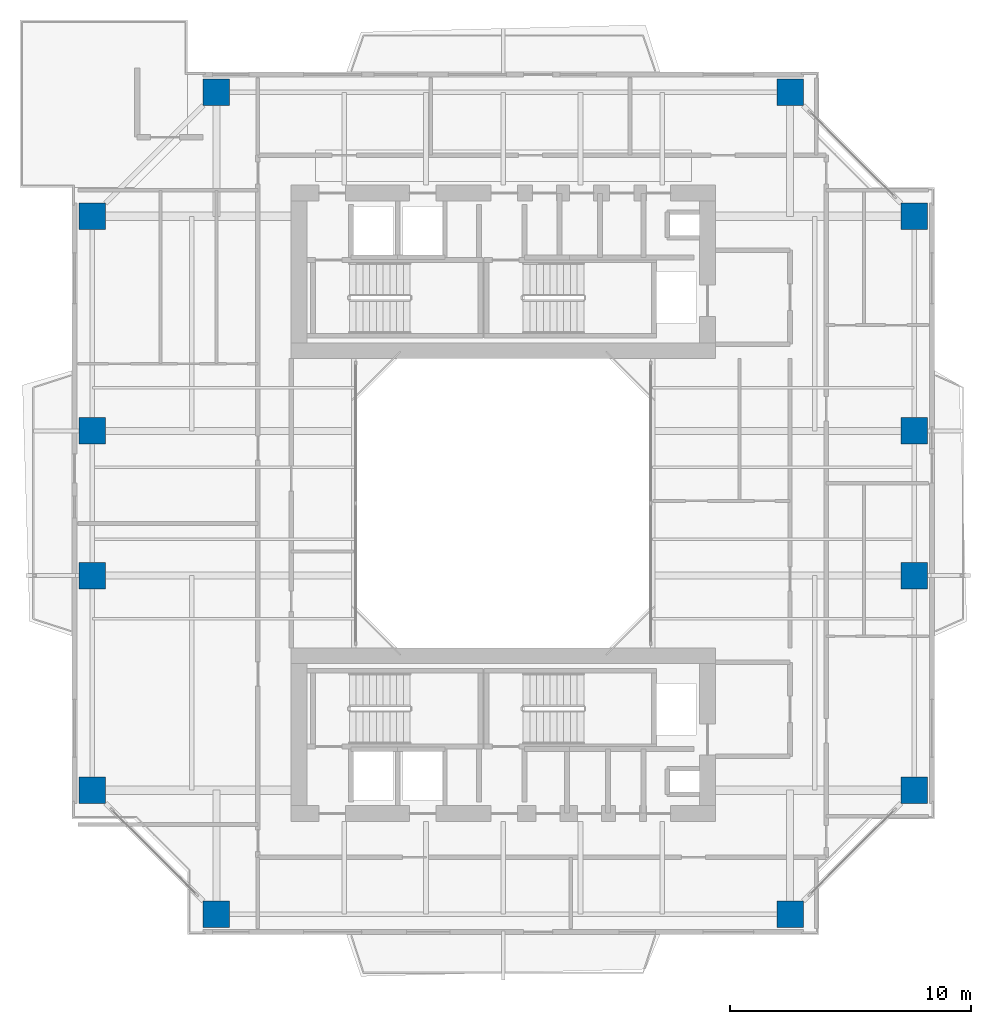
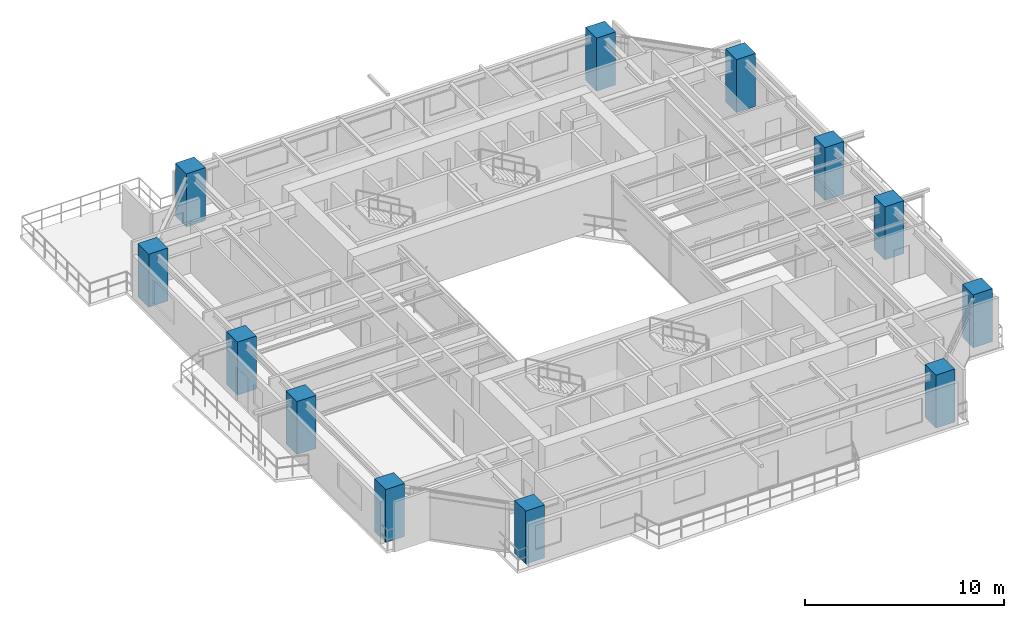
# One storey, part 1 of 17: 12 columns.
"""IFC4 building model written with IfcOpenShell, lengths in metres."""

import ifcopenshell
import ifcopenshell.guid

model = None  # the IFC model being written
_history = None  # IfcOwnerHistory: only IFC2X3 demands one
_inside = {}  # id of a spatial element -> (the spatial element, [elements in it])
_under = {}  # id of a project, library or spatial element -> (it, [spatial elements below it])
_declared = {}  # id of a project -> (the project, [libraries it declares])
_typed = {}  # id of a type object -> (the type object, [elements of that type])
_made_of = {}  # id of a material, layer set ... -> (it, [elements and type objects made of it])


def new_model(schema):
    """Start an empty IFC model of exactly this schema.

    Asked for "IFC4X3", IfcOpenShell would pick the latest addendum, in which some entities
    have other attributes; the version numbers below select the first issue.
    IFC2X3 requires an IfcOwnerHistory on every rooted entity: one is made here for all.
    """
    global model, _history
    if schema == "IFC4X3":
        model = ifcopenshell.file(schema_version=(4, 3, 0, 0))
    else:
        model = ifcopenshell.file(schema=schema)
    _inside.clear()
    _under.clear()
    _declared.clear()
    _typed.clear()
    _made_of.clear()
    _history = None
    if model.schema == "IFC2X3":
        org = make("IfcOrganization", Name="unknown")
        user = make(
            "IfcPersonAndOrganization",
            ThePerson=make("IfcPerson", FamilyName="unknown"),
            TheOrganization=org,
        )
        app = make(
            "IfcApplication",
            ApplicationDeveloper=org,
            Version="unknown",
            ApplicationFullName="unknown",
            ApplicationIdentifier="unknown",
        )
        _history = make(
            "IfcOwnerHistory",
            OwningUser=user,
            OwningApplication=app,
            ChangeAction="ADDED",
            CreationDate=0,
        )
    return model


def make(cls, **values):
    """One entity of the class cls with the attributes given. An attribute that is None is left unset."""
    return model.create_entity(
        cls, **{name: value for name, value in values.items() if value is not None}
    )


def rooted(cls, **values):
    """An entity with a GlobalId (a new one), such as an element, a storey or a relation."""
    return make(cls, GlobalId=ifcopenshell.guid.new(), OwnerHistory=_history, **values)


def si_unit(unit_type, name, prefix=None):
    """IfcSIUnit, for example si_unit("LENGTHUNIT", "METRE", prefix="MILLI")."""
    return make("IfcSIUnit", UnitType=unit_type, Prefix=prefix, Name=name)


def assignment(units):
    """IfcUnitAssignment: the units of a project."""
    return None if units is None else make("IfcUnitAssignment", Units=units)


def point(xyz):
    """IfcCartesianPoint."""
    return None if xyz is None else make("IfcCartesianPoint", Coordinates=xyz)


def direction(xyz):
    """IfcDirection."""
    return None if xyz is None else make("IfcDirection", DirectionRatios=xyz)


def frame(location, z_axis=None, x_axis=None):
    """IfcAxis2Placement3D, a coordinate frame: its origin and axes. An axis left out is left unset."""
    return make(
        "IfcAxis2Placement3D",
        Location=point(location),
        Axis=direction(z_axis),
        RefDirection=direction(x_axis),
    )


def frame_2d(location, x_axis=None):
    """IfcAxis2Placement2D, a coordinate frame in the plane: its origin and x axis."""
    return make(
        "IfcAxis2Placement2D", Location=point(location), RefDirection=direction(x_axis)
    )


def origin():
    """The frame at (0, 0, 0) with its axes left unset."""
    return frame((0.0, 0.0, 0.0))


def origin_2d():
    """The frame at (0, 0) in the plane with its x axis left unset."""
    return frame_2d((0.0, 0.0))


def place(relative_to, where):
    """IfcLocalPlacement: puts the frame where relative to a parent placement (None: the world)."""
    return make(
        "IfcLocalPlacement", PlacementRelTo=relative_to, RelativePlacement=where
    )


def context(
    kind, dimensions, precision=None, world=None, true_north=None, identifier=None
):
    """IfcGeometricRepresentationContext, for example the 3D "Model" context."""
    return make(
        "IfcGeometricRepresentationContext",
        ContextIdentifier=identifier,
        ContextType=kind,
        CoordinateSpaceDimension=dimensions,
        Precision=precision,
        WorldCoordinateSystem=world,
        TrueNorth=true_north,
    )


def subcontext(parent, identifier, kind, view, scale=None):
    """IfcGeometricRepresentationSubContext, for example "Body" below "Model"."""
    return make(
        "IfcGeometricRepresentationSubContext",
        ContextIdentifier=identifier,
        ContextType=kind,
        ParentContext=parent,
        TargetScale=scale,
        TargetView=view,
    )


def project(units=None, contexts=None):
    """IfcProject with its units and contexts."""
    return rooted(
        "IfcProject",
        Name="project",
        RepresentationContexts=contexts,
        UnitsInContext=assignment(units),
    )


def spatial(cls, under=None, at=None, **own):
    """A site, building, storey or space (cls), placed at a placement, below another one or the project."""
    s = rooted(cls, ObjectPlacement=at, **own)
    if under is not None:
        _under.setdefault(under.id(), (under, []))[1].append(s)
    return s


def profile(cls, at=None, kind="AREA", **sizes):
    """A parametric profile (cls). Its sizes go by their IFC names, for example OverallWidth=200.0."""
    return make(cls, ProfileType=kind, Position=at, **sizes)


def rectangle(**sizes):
    """IfcRectangleProfileDef."""
    return profile("IfcRectangleProfileDef", **sizes)


def extrude(swept, where, along, depth):
    """IfcExtrudedAreaSolid: the profile swept, set in the frame where, extruded along a direction by depth."""
    return make(
        "IfcExtrudedAreaSolid",
        SweptArea=swept,
        Position=where,
        ExtrudedDirection=direction(along),
        Depth=depth,
    )


def shape(context_of_items, identifier, shape_type, items):
    """IfcShapeRepresentation: the items that make up one representation, for example the "Body"."""
    return make(
        "IfcShapeRepresentation",
        ContextOfItems=context_of_items,
        RepresentationIdentifier=identifier,
        RepresentationType=shape_type,
        Items=items,
    )


def source(mapping_origin, context_of_items, identifier, shape_type, items):
    """IfcRepresentationMap: a shape defined once, which mapped items show again and again."""
    return make(
        "IfcRepresentationMap",
        MappingOrigin=mapping_origin,
        MappedRepresentation=shape(context_of_items, identifier, shape_type, items),
    )


def transform(
    local_origin,
    x_axis=None,
    y_axis=None,
    z_axis=None,
    scale=None,
    scale2=None,
    scale3=None,
    uniform=True,
):
    """IfcCartesianTransformationOperator3D, or its non-uniform kind. x_axis, y_axis, z_axis: its Axis1, 2, 3."""
    if uniform:
        return make(
            "IfcCartesianTransformationOperator3D",
            Axis1=direction(x_axis),
            Axis2=direction(y_axis),
            LocalOrigin=point(local_origin),
            Scale=scale,
            Axis3=direction(z_axis),
        )
    return make(
        "IfcCartesianTransformationOperator3DnonUniform",
        Axis1=direction(x_axis),
        Axis2=direction(y_axis),
        LocalOrigin=point(local_origin),
        Scale=scale,
        Axis3=direction(z_axis),
        Scale2=scale2,
        Scale3=scale3,
    )


def mapped(mapping_source, mapping_target):
    """IfcMappedItem: shows the shape of a source again, moved by a transform."""
    return make(
        "IfcMappedItem", MappingSource=mapping_source, MappingTarget=mapping_target
    )


def material(Name=None, Category=None):
    """IfcMaterial."""
    return make("IfcMaterial", Name=Name, Category=Category)


def material_profile(
    of_material, cross_section, Name=None, Category=None, Priority=None
):
    """IfcMaterialProfile: a cross section and its material."""
    return make(
        "IfcMaterialProfile",
        Name=Name,
        Material=of_material,
        Profile=cross_section,
        Priority=Priority,
        Category=Category,
    )


def profile_set(profiles, Name=None, composite=None):
    """IfcMaterialProfileSet."""
    return make(
        "IfcMaterialProfileSet",
        Name=Name,
        MaterialProfiles=profiles,
        CompositeProfile=composite,
    )


def made_of(thing, what):
    """Note that an element or type object is made of a material, layer set ...; save() writes the relation."""
    if what is not None:
        _made_of.setdefault(what.id(), (what, []))[1].append(thing)
    return thing


def type_object(cls, material=None, **own):
    """A type object (cls), such as IfcWallType, which elements share."""
    return made_of(rooted(cls, **own), material)


def element(
    cls,
    number,
    at=None,
    inside=None,
    cuts=None,
    type_object=None,
    material=None,
    context=None,
    identifier="Body",
    shape_type=None,
    held_by="IfcProductDefinitionShape",
    body=None,
    shapes=None,
    **own,
):
    """One element of the class cls, such as IfcWall. Its Tag is "e" and its number.

    at: its placement. inside: the storey or other place that contains it. cuts: it is an
    opening in that element (IfcRelVoidsElement). A single representation is given by context,
    identifier, shape_type and body (its items); several are given by shapes. held_by: the class
    of the entity that holds the representations. save() writes the other relations.
    """
    e = rooted(cls, Tag="e%d" % number, ObjectPlacement=at, **own)
    if body is not None:
        shapes = [shape(context, identifier, shape_type, body)]
    if shapes is not None:
        e.Representation = make(held_by, Representations=shapes)
    if inside is not None:
        _inside.setdefault(inside.id(), (inside, []))[1].append(e)
    if cuts is not None:
        rooted(
            "IfcRelVoidsElement", RelatingBuildingElement=cuts, RelatedOpeningElement=e
        )
    if type_object is not None:
        _typed.setdefault(type_object.id(), (type_object, []))[1].append(e)
    return made_of(e, material)


def aggregate(whole, parts):
    """IfcRelAggregates: a whole, such as a stair, and the parts it consists of."""
    return rooted("IfcRelAggregates", RelatingObject=whole, RelatedObjects=parts)


def save(model, path):
    """Write the relations noted so far, then the file.

    IfcRelAggregates (storeys below a building ...), IfcRelContainedInSpatialStructure (elements
    in a storey), IfcRelDefinesByType, IfcRelAssociatesMaterial and IfcRelDeclares: one each for
    every whole, place, type object, material and project.
    """
    for whole, parts in _under.values():
        aggregate(whole, parts)
    for where, things in _inside.values():
        rooted(
            "IfcRelContainedInSpatialStructure",
            RelatedElements=things,
            RelatingStructure=where,
        )
    for kind, things in _typed.values():
        rooted("IfcRelDefinesByType", RelatedObjects=things, RelatingType=kind)
    for what, things in _made_of.values():
        rooted("IfcRelAssociatesMaterial", RelatedObjects=things, RelatingMaterial=what)
    for by, libraries in _declared.values():
        rooted("IfcRelDeclares", RelatingContext=by, RelatedDefinitions=libraries)
    model.write(path)


model = new_model("IFC4")

# Units and contexts
model_context = context("Model", 3, precision=1e-05, world=origin(), true_north=direction((0.0, 1.0)))
body_context = subcontext(model_context, "Body", "Model", "MODEL_VIEW")
ifc_project = project(units=[si_unit("LENGTHUNIT", "METRE"), si_unit("AREAUNIT", "SQUARE_METRE"), si_unit("VOLUMEUNIT", "CUBIC_METRE"), si_unit("PLANEANGLEUNIT", "RADIAN"), si_unit("MASSUNIT", "GRAM", prefix="KILO"), si_unit("THERMODYNAMICTEMPERATUREUNIT", "KELVIN"), si_unit("POWERUNIT", "WATT")], contexts=[model_context])

# Site, building, storey
site_placement = place(None, origin())
site = spatial("IfcSite", under=ifc_project, at=site_placement, CompositionType="ELEMENT")
building_placement = place(site_placement, origin())
building = spatial("IfcBuilding", under=site, at=building_placement, Name="Qiaomeng Ring Towers", CompositionType="ELEMENT")
storey_placement = place(building_placement, frame((0.0, 0.0, 132.75)))
storey = spatial("IfcBuildingStorey", under=building, at=storey_placement, Name="L38", CompositionType="ELEMENT", Elevation=132.75)

# Columns
ifc_material = material(Name="Concrete C55", Category="concrete")
ifc_material_profile = material_profile(ifc_material, rectangle(XDim=1.10009765625, YDim=1.10009765625, at=origin_2d()), Name="RC COL 1100x1100")
ifc_profile_set = profile_set([ifc_material_profile], Name="Concrete C55")
column_type = type_object("IfcColumnType", Name="STR-COL-1100-C55", PredefinedType="COLUMN", material=ifc_profile_set)
shared_shape = source(origin(), body_context, "Body", "SweptSolid", [
    extrude(rectangle(XDim=1.10009765625, YDim=1.10009765625, at=origin_2d()), origin(), (0.0, 0.0, 1.0), 3.25),
])
for number, where, z_axis, x_axis, name in (
    (1, (7.10009765625, 5.949951171875, 0.0), (0.0, 0.0, 1.0), (1.0, 0.0, 0.0), "L38 column STR-COL-L38-T1-S1"),
    (2, (30.89990234375, 5.949951171875, 0.0), (0.0, 0.0, 1.0), (1.0, 0.0, 0.0), "L38 column STR-COL-L38-T1-S2"),
    (3, (36.050048828125, 11.10009765625, 0.0), (0.0, 0.0, 1.0), (1.0, 0.0, 0.0), "L38 column STR-COL-L38-T1-E1"),
    (4, (36.050048828125, 20.0, 0.0), (0.0, 0.0, 1.0), (1.0, 0.0, 0.0), "L38 column STR-COL-L38-T1-E2"),
    (5, (36.050048828125, 26.0, 0.0), (0.0, 0.0, 1.0), (1.0, 0.0, 0.0), "L38 column STR-COL-L38-T1-E3"),
    (6, (36.050048828125, 34.89990234375, 0.0), (0.0, 0.0, 1.0), (1.0, 0.0, 0.0), "L38 column STR-COL-L38-T1-E4"),
    (7, (30.89990234375, 40.050048828125, 0.0), (0.0, 0.0, 1.0), (1.0, 0.0, 0.0), "L38 column STR-COL-L38-T1-N2"),
    (8, (7.10009765625, 40.050048828125, 0.0), (0.0, 0.0, 1.0), (1.0, 0.0, 0.0), "L38 column STR-COL-L38-T1-N1"),
    (9, (1.949951171875, 34.89990234375, 0.0), (0.0, 0.0, 1.0), (1.0, 0.0, 0.0), "L38 column STR-COL-L38-T1-W4"),
    (10, (1.949951171875, 26.0, 0.0), (0.0, 0.0, 1.0), (1.0, 0.0, 0.0), "L38 column STR-COL-L38-T1-W3"),
    (11, (1.949951171875, 20.0, 0.0), (0.0, 0.0, 1.0), (1.0, 0.0, 0.0), "L38 column STR-COL-L38-T1-W2"),
    (12, (1.949951171875, 11.10009765625, 0.0), (0.0, 0.0, 1.0), (1.0, 0.0, 0.0), "L38 column STR-COL-L38-T1-W1"),
):
    element("IfcColumn", number, at=place(storey_placement, frame(where, z_axis=z_axis, x_axis=x_axis)), inside=storey, type_object=column_type, Name=name, PredefinedType="COLUMN", context=body_context, shape_type="MappedRepresentation", body=[
        mapped(shared_shape, transform((0.0, 0.0, 0.0), x_axis=(1.0, 0.0, 0.0), y_axis=(0.0, 1.0, 0.0), z_axis=(0.0, 0.0, 1.0), scale=1.0)),
    ])

save(model, "model.ifc")
